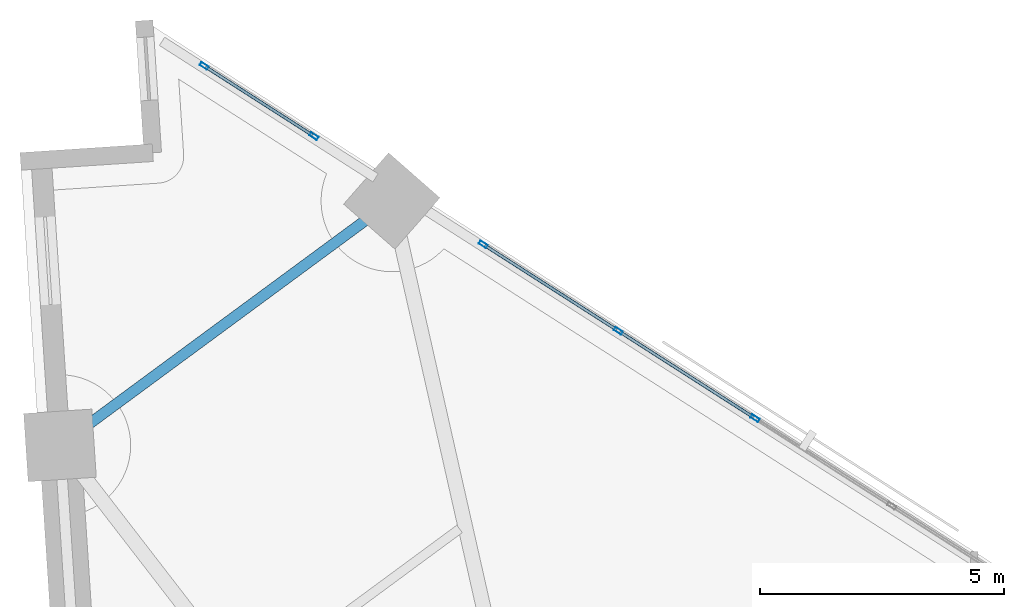
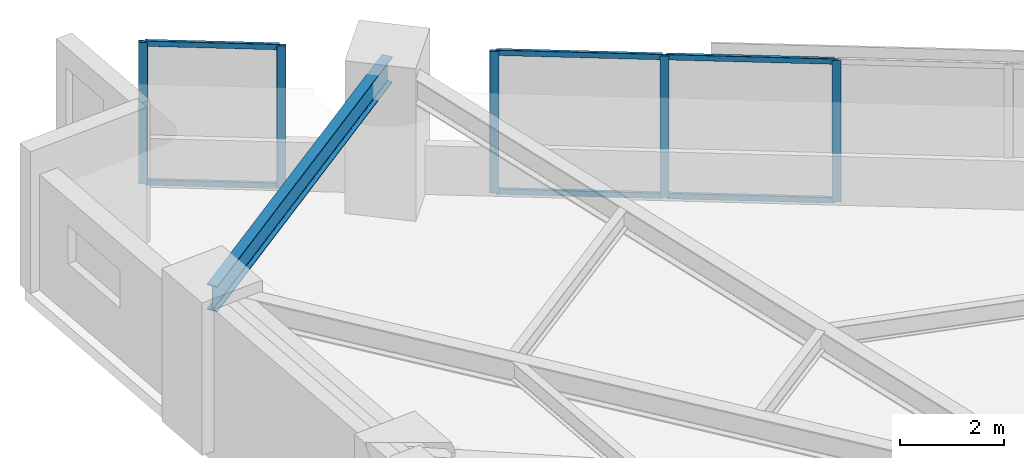
# One storey, part 9 of 16: 11 members, 1 beam, 2 elements without a shape of their own.
"""IFC4 building model written with IfcOpenShell, lengths in metres."""

from ifc_helpers import new_model, si_unit, direction, frame, origin, origin_2d, place, context, subcontext, project, spatial, hollow_rectangle, i_section, extrude, material, material_profile, profile_set, type_object, element, aggregate, save


model = new_model("IFC4")

# Units and contexts
model_context = context("Model", 3, precision=1e-05, world=origin(), true_north=direction((0.0, 1.0)))
body_context = subcontext(model_context, "Body", "Model", "MODEL_VIEW")
ifc_project = project(units=[si_unit("LENGTHUNIT", "METRE"), si_unit("AREAUNIT", "SQUARE_METRE"), si_unit("VOLUMEUNIT", "CUBIC_METRE"), si_unit("PLANEANGLEUNIT", "RADIAN"), si_unit("MASSUNIT", "GRAM", prefix="KILO")], contexts=[model_context])

# Site, building, storey
site_placement = place(None, origin())
site = spatial("IfcSite", under=ifc_project, at=site_placement, CompositionType="ELEMENT")
building_placement = place(site_placement, origin())
building = spatial("IfcBuilding", under=site, at=building_placement, Name="Narakoshi Arena Tower", CompositionType="ELEMENT")
storey_placement = place(building_placement, frame((0.0, 0.0, 84.89990234375)))
storey = spatial("IfcBuildingStorey", under=building, at=storey_placement, Name="L22", CompositionType="ELEMENT", Elevation=84.89990234375)

# Beam
ifc_material_1 = material(Name="Structural steel S355J2", Category="steel")
ifc_material_profile_1 = material_profile(ifc_material_1, i_section(OverallWidth=0.219970703125, OverallDepth=0.60009765625, WebThickness=0.011962890625, FlangeThickness=0.01904296875, FilletRadius=0.02392578125, at=origin_2d()), Name="IPE600")
ifc_profile_set_1 = profile_set([ifc_material_profile_1], Name="Structural steel S355J2")
beam_type = type_object("IfcBeamType", Name="BM-EDGE-600", PredefinedType="BEAM", material=ifc_profile_set_1)
beam_placement = place(storey_placement, frame((67.58984375, 76.04345703125, 3.0400390625), z_axis=(-0.805132069621, -0.59309556605, 0.0), x_axis=(0.59309556605, -0.805132069621, 0.0)))
element("IfcBeam", 1, at=beam_placement, inside=storey, type_object=beam_type, Name="L22 Perimeter Edge Girder 11", PredefinedType="BEAM", context=body_context, shape_type="SweptSolid", body=[
    extrude(i_section(OverallWidth=0.219970703125, OverallDepth=0.60009765625, WebThickness=0.011962890625, FlangeThickness=0.01904296875, FilletRadius=0.02392578125, at=origin_2d()), origin(), (0.0, 0.0, 1.0), 8.451416015625),
])

# Curtain wall, members
ifc_material_2 = material(Name="Anodised bronze aluminium 6063-T6", Category="aluminium")
curtain_wall_type = type_object("IfcCurtainWallType", Name="CW-HYP-LOW", PredefinedType="NOTDEFINED", material=ifc_material_2)
curtain_wall_1_placement = place(storey_placement, origin())
curtain_wall_1 = element("IfcCurtainWall", 2, at=curtain_wall_1_placement, inside=storey, type_object=curtain_wall_type, Name="L22 Folded Hypotenuse Curtain Wall 2-2", PredefinedType="NOTDEFINED")
ifc_material_profile_2 = material_profile(ifc_material_2, hollow_rectangle(XDim=0.074951171875, YDim=0.179931640625, WallThickness=0.00390625, OuterFilletRadius=0.0048828125, at=origin_2d()), Name="MUL180x75x4")
ifc_profile_set_2 = profile_set([ifc_material_profile_2], Name="Anodised bronze aluminium 6063-T6")
member_type_1 = type_object("IfcMemberType", Name="MEM-MUL-180", PredefinedType="MULLION", material=ifc_profile_set_2)
member_1_placement = place(storey_placement, frame((75.039794921875, 71.5869140625, 0.0), z_axis=(0.0, 0.0, 1.0), x_axis=(-0.538829098714, -0.842415100992, 0.0)))
member_1 = element("IfcMember", 3, at=member_1_placement, type_object=member_type_1, Name="CW-01 mullion 4", PredefinedType="MULLION", context=body_context, shape_type="SweptSolid", body=[
    extrude(hollow_rectangle(XDim=0.074951171875, YDim=0.179931640625, WallThickness=0.00390625, OuterFilletRadius=0.0048828125, at=origin_2d()), origin(), (0.0, 0.0, 1.0), 3.340087890625),
])
member_2_placement = place(storey_placement, frame((72.236083984375, 73.380126953125, 0.0), z_axis=(0.0, 0.0, 1.0), x_axis=(-0.538829098714, -0.842415100992, 0.0)))
member_2 = element("IfcMember", 4, at=member_2_placement, type_object=member_type_1, Name="CW-01 mullion 5", PredefinedType="MULLION", context=body_context, shape_type="SweptSolid", body=[
    extrude(hollow_rectangle(XDim=0.074951171875, YDim=0.179931640625, WallThickness=0.00390625, OuterFilletRadius=0.0048828125, at=origin_2d()), origin(), (0.0, 0.0, 1.0), 3.340087890625),
])
member_3_placement = place(storey_placement, frame((69.464111328125, 75.1533203125, 0.0), z_axis=(0.0, 0.0, 1.0), x_axis=(-0.538829098714, -0.842415100992, 0.0)))
member_3 = element("IfcMember", 5, at=member_3_placement, type_object=member_type_1, Name="CW-01 mullion 6", PredefinedType="MULLION", context=body_context, shape_type="SweptSolid", body=[
    extrude(hollow_rectangle(XDim=0.074951171875, YDim=0.179931640625, WallThickness=0.00390625, OuterFilletRadius=0.0048828125, at=origin_2d()), origin(), (0.0, 0.0, 1.0), 3.340087890625),
])

curtain_wall_2_placement = place(storey_placement, origin())
curtain_wall_2 = element("IfcCurtainWall", 6, at=curtain_wall_2_placement, inside=storey, type_object=curtain_wall_type, Name="L22 Folded Hypotenuse Curtain Wall 2-3", PredefinedType="NOTDEFINED")
member_4_placement = place(storey_placement, frame((65.99462890625, 77.372314453125, 0.0), z_axis=(0.0, 0.0, 1.0), x_axis=(-0.538841109017, -0.842407418791, 0.0)))
member_4 = element("IfcMember", 7, at=member_4_placement, type_object=member_type_1, Name="CW-01 mullion 1", PredefinedType="MULLION", context=body_context, shape_type="SweptSolid", body=[
    extrude(hollow_rectangle(XDim=0.074951171875, YDim=0.179931640625, WallThickness=0.00390625, OuterFilletRadius=0.0048828125, at=origin_2d()), origin(), (0.0, 0.0, 1.0), 3.340087890625),
])
member_5_placement = place(storey_placement, frame((63.7412109375, 78.813720703125, 0.0), z_axis=(0.0, 0.0, 1.0), x_axis=(-0.538841109017, -0.842407418791, 0.0)))
member_5 = element("IfcMember", 8, at=member_5_placement, type_object=member_type_1, Name="CW-01 mullion 2", PredefinedType="MULLION", context=body_context, shape_type="SweptSolid", body=[
    extrude(hollow_rectangle(XDim=0.074951171875, YDim=0.179931640625, WallThickness=0.00390625, OuterFilletRadius=0.0048828125, at=origin_2d()), origin(), (0.0, 0.0, 1.0), 3.340087890625),
])

# Member
ifc_material_profile_3 = material_profile(ifc_material_2, hollow_rectangle(XDim=0.06494140625, YDim=0.1298828125, WallThickness=0.00390625, OuterFilletRadius=0.0048828125, at=origin_2d()), Name="TRN130x65x4")
ifc_profile_set_3 = profile_set([ifc_material_profile_3], Name="Anodised bronze aluminium 6063-T6")
member_type_2 = type_object("IfcMemberType", Name="MEM-TRN-130", PredefinedType="USERDEFINED", material=ifc_profile_set_3)
member_6_placement = place(storey_placement, frame((75.00830078125, 71.60693359375, 0.03271484375), z_axis=(-0.842407668774, 0.5388407182, 0.0), x_axis=(-0.5388407182, -0.842407668774, 0.0)))
member_6 = element("IfcMember", 9, at=member_6_placement, type_object=member_type_2, Name="CW-01 transom 4.1", ObjectType="TRANSOM", PredefinedType="USERDEFINED", context=body_context, shape_type="SweptSolid", body=[
    extrude(hollow_rectangle(XDim=0.06494140625, YDim=0.1298828125, WallThickness=0.00390625, OuterFilletRadius=0.0048828125, at=origin_2d()), origin(), (0.0, 0.0, 1.0), 3.253173828125),
])

member_7_placement = place(storey_placement, frame((75.00830078125, 71.60693359375, 3.3076171875), z_axis=(-0.842407668774, 0.5388407182, 0.0), x_axis=(-0.5388407182, -0.842407668774, 0.0)))
member_7 = element("IfcMember", 10, at=member_7_placement, type_object=member_type_2, Name="CW-01 transom 4.2", ObjectType="TRANSOM", PredefinedType="USERDEFINED", context=body_context, shape_type="SweptSolid", body=[
    extrude(hollow_rectangle(XDim=0.06494140625, YDim=0.1298828125, WallThickness=0.00390625, OuterFilletRadius=0.0048828125, at=origin_2d()), origin(), (0.0, 0.0, 1.0), 3.253173828125),
])

member_8_placement = place(storey_placement, frame((72.20458984375, 73.400390625, 0.03271484375), z_axis=(-0.842424416084, 0.538814535053, 0.0), x_axis=(-0.538814535053, -0.842424416084, 0.0)))
member_8 = element("IfcMember", 11, at=member_8_placement, type_object=member_type_2, Name="CW-01 transom 5.1", ObjectType="TRANSOM", PredefinedType="USERDEFINED", context=body_context, shape_type="SweptSolid", body=[
    extrude(hollow_rectangle(XDim=0.06494140625, YDim=0.1298828125, WallThickness=0.00390625, OuterFilletRadius=0.0048828125, at=origin_2d()), origin(), (0.0, 0.0, 1.0), 3.2158203125),
])

member_9_placement = place(storey_placement, frame((72.20458984375, 73.400390625, 3.3076171875), z_axis=(-0.842424416084, 0.538814535053, 0.0), x_axis=(-0.538814535053, -0.842424416084, 0.0)))
member_9 = element("IfcMember", 12, at=member_9_placement, type_object=member_type_2, Name="CW-01 transom 5.2", ObjectType="TRANSOM", PredefinedType="USERDEFINED", context=body_context, shape_type="SweptSolid", body=[
    extrude(hollow_rectangle(XDim=0.06494140625, YDim=0.1298828125, WallThickness=0.00390625, OuterFilletRadius=0.0048828125, at=origin_2d()), origin(), (0.0, 0.0, 1.0), 3.2158203125),
])

aggregate(curtain_wall_1, [member_1, member_2, member_3, member_6, member_7, member_8, member_9])

member_10_placement = place(storey_placement, frame((65.963134765625, 77.392578125, 0.03271484375), z_axis=(-0.84237541022, 0.538891146946, 0.0), x_axis=(-0.538891146946, -0.84237541022, 0.0)))
member_10 = element("IfcMember", 13, at=member_10_placement, type_object=member_type_2, Name="CW-01 transom 1.1", ObjectType="TRANSOM", PredefinedType="USERDEFINED", context=body_context, shape_type="SweptSolid", body=[
    extrude(hollow_rectangle(XDim=0.06494140625, YDim=0.1298828125, WallThickness=0.00390625, OuterFilletRadius=0.0048828125, at=origin_2d()), origin(), (0.0, 0.0, 1.0), 2.60009765625),
])

member_11_placement = place(storey_placement, frame((65.963134765625, 77.392578125, 3.3076171875), z_axis=(-0.84237541022, 0.538891146946, 0.0), x_axis=(-0.538891146946, -0.84237541022, 0.0)))
member_11 = element("IfcMember", 14, at=member_11_placement, type_object=member_type_2, Name="CW-01 transom 1.2", ObjectType="TRANSOM", PredefinedType="USERDEFINED", context=body_context, shape_type="SweptSolid", body=[
    extrude(hollow_rectangle(XDim=0.06494140625, YDim=0.1298828125, WallThickness=0.00390625, OuterFilletRadius=0.0048828125, at=origin_2d()), origin(), (0.0, 0.0, 1.0), 2.60009765625),
])

aggregate(curtain_wall_2, [member_4, member_5, member_10, member_11])

save(model, "model.ifc")
